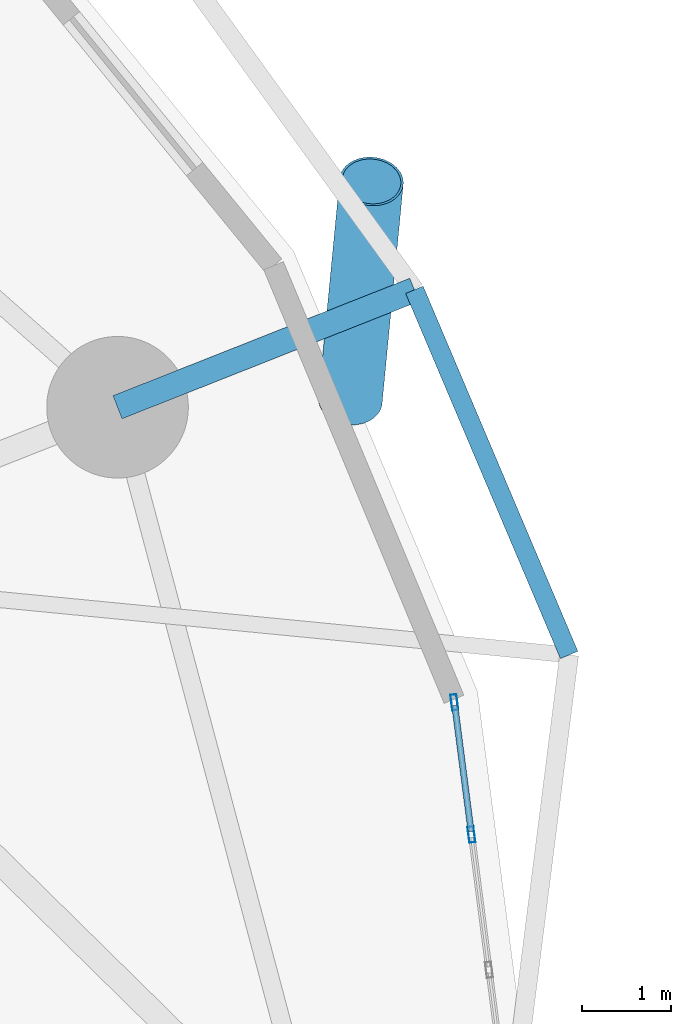
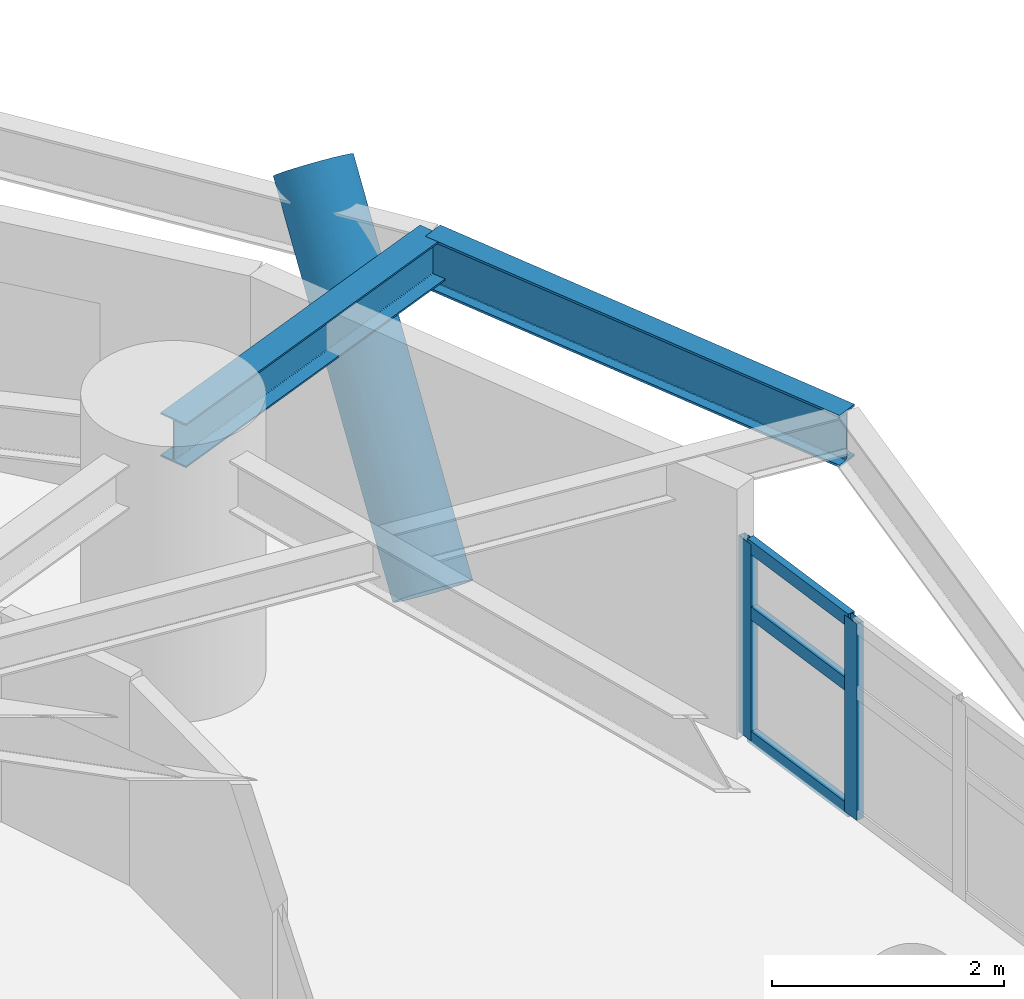
# One storey, part 4 of 17: 6 members, 2 beams, 1 element without a shape of its own.
"""IFC4 building model written with IfcOpenShell, lengths in metres."""

from ifc_helpers import new_model, si_unit, direction, frame, origin, origin_2d, place, context, subcontext, project, spatial, hollow_rectangle, hollow_circle, i_section, extrude, material, layer, layer_set, material_profile, profile_set, type_object, element, aggregate, save


model = new_model("IFC4")

# Units and contexts
model_context = context("Model", 3, precision=1e-05, world=origin(), true_north=direction((0.0, 1.0)))
body_context = subcontext(model_context, "Body", "Model", "MODEL_VIEW")
ifc_project = project(units=[si_unit("LENGTHUNIT", "METRE"), si_unit("AREAUNIT", "SQUARE_METRE"), si_unit("VOLUMEUNIT", "CUBIC_METRE"), si_unit("PLANEANGLEUNIT", "RADIAN"), si_unit("MASSUNIT", "GRAM", prefix="KILO")], contexts=[model_context])

# Site, building, storey
site_placement = place(None, origin())
site = spatial("IfcSite", under=ifc_project, at=site_placement, CompositionType="ELEMENT")
building_placement = place(site_placement, origin())
building = spatial("IfcBuilding", under=site, at=building_placement, Name="Cununo Teusaquillo Station Towers", CompositionType="ELEMENT")
storey_placement = place(building_placement, frame((0.0, 0.0, 27.820068359375)))
storey = spatial("IfcBuildingStorey", under=building, at=storey_placement, Name="L07", CompositionType="ELEMENT", Elevation=27.820068359375)

# Beams
ifc_material_1 = material(Name="Steel ASTM A572 Grade 50", Category="steel")
ifc_material_profile_1 = material_profile(ifc_material_1, i_section(OverallWidth=0.280029296875, OverallDepth=0.462890625, WebThickness=0.0107421875, FlangeThickness=0.017333984375, FilletRadius=0.013916015625, at=origin_2d()), Name="W18X76")
ifc_profile_set_1 = profile_set([ifc_material_profile_1], Name="Steel ASTM A572 Grade 50")
beam_type_1 = type_object("IfcBeamType", Name="BM-RAD-G1", PredefinedType="BEAM", material=ifc_profile_set_1)
beam_1_placement = place(storey_placement, frame((26.347412109375, 33.228515625, 2.41845703125), z_axis=(0.92986596044, 0.367898485476, 0.0), x_axis=(-0.367898485476, 0.92986596044, 0.0)))
element("IfcBeam", 1, at=beam_1_placement, inside=storey, type_object=beam_type_1, Name="L07 Tower A Perimeter Overhang Girder 02B", PredefinedType="BEAM", context=body_context, shape_type="SweptSolid", body=[
    extrude(i_section(OverallWidth=0.280029296875, OverallDepth=0.462890625, WebThickness=0.0107421875, FlangeThickness=0.017333984375, FilletRadius=0.013916015625, at=origin_2d()), origin(), (0.0, 0.0, 1.0), 3.606689453125),
])
ifc_material_2 = material(Name="Steel ASTM A572 Grade 50", Category="steel")
ifc_material_profile_2 = material_profile(ifc_material_2, i_section(OverallWidth=0.214111328125, OverallDepth=0.549072265625, WebThickness=0.0146484375, FlangeThickness=0.023681640625, FilletRadius=0.014892578125, at=origin_2d()), Name="W21X93")
ifc_profile_set_2 = profile_set([ifc_material_profile_2], Name="Steel ASTM A572 Grade 50")
beam_type_2 = type_object("IfcBeamType", Name="BM-RING-Z1", PredefinedType="SPANDREL", material=ifc_profile_set_2)
beam_2_placement = place(storey_placement, frame((31.44970703125, 30.429931640625, 2.37548828125), z_axis=(-0.390233589069, 0.920715887754, 0.0), x_axis=(-0.920715887754, -0.390233589069, 0.0)))
element("IfcBeam", 2, at=beam_2_placement, inside=storey, type_object=beam_type_2, Name="L07 Tower A Spandrel Ring Beam 02", PredefinedType="SPANDREL", context=body_context, shape_type="SweptSolid", body=[
    extrude(i_section(OverallWidth=0.214111328125, OverallDepth=0.549072265625, WebThickness=0.0146484375, FlangeThickness=0.023681640625, FilletRadius=0.014892578125, at=origin_2d()), origin(), (0.0, 0.0, 1.0), 4.480712890625),
])

# Curtain wall, members
ifc_material_3 = material(Name="Ceramic-fritted dark low-E double glazing", Category="glass")
ifc_layer = layer(ifc_material_3, 0.179931640625)
ifc_layer_set = layer_set([ifc_layer], Name="Ceramic-fritted dark low-E double glazing")
curtain_wall_type = type_object("IfcCurtainWallType", Name="CW-SYS-02", PredefinedType="USERDEFINED", material=ifc_layer_set)
curtain_wall_placement = place(storey_placement, origin())
curtain_wall = element("IfcCurtainWall", 3, at=curtain_wall_placement, inside=storey, type_object=curtain_wall_type, Name="L07 Tower A Facade Curtain Wall C00", ObjectType="FRITTED GLAZING", PredefinedType="USERDEFINED")
ifc_material_4 = material(Name="Anodised dark bronze aluminium EN AW-6063-T6", Category="aluminium")
ifc_material_profile_3 = material_profile(ifc_material_4, hollow_rectangle(XDim=0.070068359375, YDim=0.179931640625, WallThickness=0.00390625, at=origin_2d()), Name="CW-MULL-70x180")
ifc_profile_set_3 = profile_set([ifc_material_profile_3], Name="Anodised dark bronze aluminium EN AW-6063-T6")
member_type_1 = type_object("IfcMemberType", Name="CWM-180", PredefinedType="MULLION", material=ifc_profile_set_3)
member_1_placement = place(storey_placement, frame((30.153076171875, 29.894775390625, 0.0), z_axis=(0.0, 0.0, 1.0), x_axis=(0.991736471431, 0.128291742659, 0.0)))
member_1 = element("IfcMember", 4, at=member_1_placement, type_object=member_type_1, Name="CW-02 mullion 1", PredefinedType="MULLION", context=body_context, shape_type="SweptSolid", body=[
    extrude(hollow_rectangle(XDim=0.070068359375, YDim=0.179931640625, WallThickness=0.00390625, at=origin_2d()), origin(), (0.0, 0.0, 1.0), 2.072998046875),
])
member_2_placement = place(storey_placement, frame((30.346435546875, 28.400634765625, 0.0), z_axis=(0.0, 0.0, 1.0), x_axis=(0.991736471431, 0.128291742659, 0.0)))
member_2 = element("IfcMember", 5, at=member_2_placement, type_object=member_type_1, Name="CW-02 mullion 2", PredefinedType="MULLION", context=body_context, shape_type="SweptSolid", body=[
    extrude(hollow_rectangle(XDim=0.070068359375, YDim=0.179931640625, WallThickness=0.00390625, at=origin_2d()), origin(), (0.0, 0.0, 1.0), 2.072998046875),
])
ifc_material_5 = material(Name="Anodised dark bronze aluminium EN AW-6063-T6", Category="aluminium")
ifc_material_profile_4 = material_profile(ifc_material_5, hollow_rectangle(XDim=0.070068359375, YDim=0.139892578125, WallThickness=0.00390625, at=origin_2d()), Name="CW-TRAN-70x140")
ifc_profile_set_4 = profile_set([ifc_material_profile_4], Name="Anodised dark bronze aluminium EN AW-6063-T6")
member_type_2 = type_object("IfcMemberType", Name="CWT-140", PredefinedType="USERDEFINED", material=ifc_profile_set_4)
member_3_placement = place(storey_placement, frame((30.157470703125, 29.85986328125, 0.034912109375), z_axis=(0.128321866911, -0.991732574071, 0.0), x_axis=(0.991732574071, 0.128321866911, 0.0)))
member_3 = element("IfcMember", 6, at=member_3_placement, type_object=member_type_2, Name="CW-02 transom 1.1", ObjectType="TRANSOM", PredefinedType="USERDEFINED", context=body_context, shape_type="SweptSolid", body=[
    extrude(hollow_rectangle(XDim=0.070068359375, YDim=0.139892578125, WallThickness=0.00390625, at=origin_2d()), origin(), (0.0, 0.0, 1.0), 1.4365234375),
])
member_4_placement = place(storey_placement, frame((30.157470703125, 29.85986328125, 1.346923828125), z_axis=(0.128321866911, -0.991732574071, 0.0), x_axis=(0.991732574071, 0.128321866911, 0.0)))
member_4 = element("IfcMember", 7, at=member_4_placement, type_object=member_type_2, Name="CW-02 transom 1.2", ObjectType="TRANSOM", PredefinedType="USERDEFINED", context=body_context, shape_type="SweptSolid", body=[
    extrude(hollow_rectangle(XDim=0.070068359375, YDim=0.139892578125, WallThickness=0.00390625, at=origin_2d()), origin(), (0.0, 0.0, 1.0), 1.4365234375),
])
member_5_placement = place(storey_placement, frame((30.157470703125, 29.85986328125, 2.037841796875), z_axis=(0.128321866911, -0.991732574071, 0.0), x_axis=(0.991732574071, 0.128321866911, 0.0)))
member_5 = element("IfcMember", 8, at=member_5_placement, type_object=member_type_2, Name="CW-02 transom 1.3", ObjectType="TRANSOM", PredefinedType="USERDEFINED", context=body_context, shape_type="SweptSolid", body=[
    extrude(hollow_rectangle(XDim=0.070068359375, YDim=0.139892578125, WallThickness=0.00390625, at=origin_2d()), origin(), (0.0, 0.0, 1.0), 1.4365234375),
])
aggregate(curtain_wall, [member_1, member_2, member_3, member_4, member_5])

# Member
ifc_material_6 = material(Name="Steel EN 10025-2 S355J2", Category="steel")
ifc_material_profile_5 = material_profile(ifc_material_6, hollow_circle(Radius=0.360107421875, WallThickness=0.028076171875, at=origin_2d()), Name="CHS 720x28")
ifc_profile_set_5 = profile_set([ifc_material_profile_5], Name="Steel EN 10025-2 S355J2")
member_type_3 = type_object("IfcMemberType", Name="MBR-DIAG-Z1", PredefinedType="BRACE", material=ifc_profile_set_5)
member_6_placement = place(storey_placement, frame((28.97802734375, 33.3037109375, -0.14013671875), z_axis=(0.062369865958, 0.646720665312, 0.7601725994), x_axis=(-0.995381833879, 0.095994816442, 0.0)))
element("IfcMember", 9, at=member_6_placement, inside=storey, type_object=member_type_3, Name="L07 Tower A Folded-Zigzag Diagrid Tube C01", PredefinedType="BRACE", context=body_context, shape_type="SweptSolid", body=[
    extrude(hollow_circle(Radius=0.360107421875, WallThickness=0.028076171875, at=origin_2d()), origin(), (0.0, 0.0, 1.0), 3.828369140625),
])

save(model, "model.ifc")
